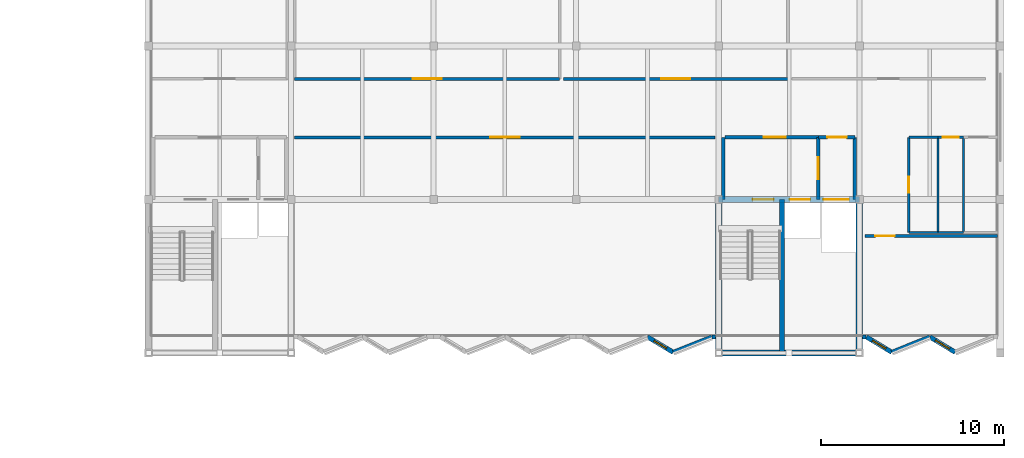
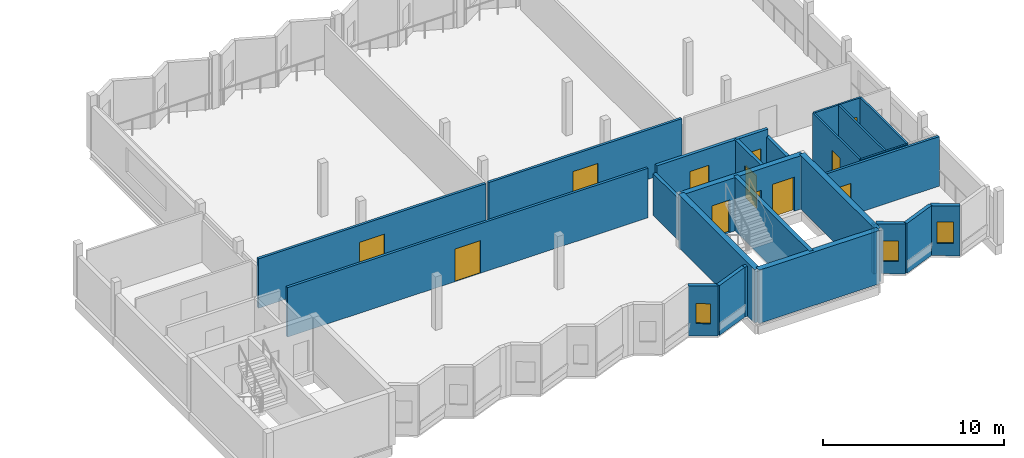
# One storey, part 15 of 22: 28 walls, 12 doors, 3 windows, 15 openings.
"""IFC4 building model written with IfcOpenShell, lengths in metres."""

from ifc_helpers import new_model, si_unit, direction, frame, frame_2d, origin, place, context, subcontext, project, spatial, rectangle, extrude, material, layer, layer_set, type_object, element, fill, save


model = new_model("IFC4")

# Units and contexts
model_context = context("Model", 3, precision=1e-05, world=origin(), true_north=direction((0.0, 1.0)))
body_context = subcontext(model_context, "Body", "Model", "MODEL_VIEW")
ifc_project = project(units=[si_unit("LENGTHUNIT", "METRE"), si_unit("AREAUNIT", "SQUARE_METRE"), si_unit("VOLUMEUNIT", "CUBIC_METRE"), si_unit("PLANEANGLEUNIT", "RADIAN"), si_unit("MASSUNIT", "GRAM", prefix="KILO")], contexts=[model_context])

# Site, building, storey
site_placement = place(None, origin())
site = spatial("IfcSite", under=ifc_project, at=site_placement, CompositionType="ELEMENT")
building_placement = place(site_placement, origin())
building = spatial("IfcBuilding", under=site, at=building_placement, Name="Vharandega Faculty of Natural Sciences", CompositionType="ELEMENT")
storey_placement = place(building_placement, frame((0.0, 0.0, 28.800048828125)))
storey = spatial("IfcBuildingStorey", under=building, at=storey_placement, Name="L07", CompositionType="ELEMENT", Elevation=28.800048828125)

# Walls
ifc_material_1 = material(Name="Concrete C40/50", Category="concrete")
ifc_layer_1 = layer(ifc_material_1, 0.35009765625, Name="Concrete C40/50")
ifc_layer_set_1 = layer_set([ifc_layer_1], Name="Concrete C40/50")
wall_type_1 = type_object("IfcWallType", Name="Core Shear Wall 350", PredefinedType="SHEAR", material=ifc_layer_set_1)
wall_1_placement = place(storey_placement, frame((146.0, 64.0, 0.0), z_axis=(0.0, 0.0, 1.0), x_axis=(1.0, 0.0, 0.0)))
element("IfcWall", 1, at=wall_1_placement, inside=storey, type_object=wall_type_1, Name="Interior Wall CW-C2-L07-S", PredefinedType="SHEAR", context=body_context, shape_type="SweptSolid", body=[
    extrude(rectangle(XDim=7.699951171875, YDim=0.35009765625, at=frame_2d((3.85009765625, 0.0))), origin(), (0.0, 0.0, 1.0), 3.599853515625),
])
for number, where, z_axis, x_axis, name in (
    (2, (146.0, 64.0, 0.0), (0.0, 0.0, 1.0), (0.0, 1.0, 0.0), "Interior Wall CW-C2-L07-W"),
    (3, (153.699951171875, 64.0, 0.0), (0.0, 0.0, 1.0), (0.0, 1.0, 0.0), "Interior Wall CW-C2-L07-E"),
):
    element("IfcWall", number, at=place(storey_placement, frame(where, z_axis=z_axis, x_axis=x_axis)), inside=storey, type_object=wall_type_1, Name=name, PredefinedType="SHEAR", context=body_context, shape_type="SweptSolid", body=[
        extrude(rectangle(XDim=8.39990234375, YDim=0.35009765625, at=frame_2d((4.199951171875, 0.0))), origin(), (0.0, 0.0, 1.0), 3.599853515625),
    ])

# Wall, openings, doors
wall_2_placement = place(storey_placement, frame((146.0, 72.39990234375, 0.0), z_axis=(0.0, 0.0, 1.0), x_axis=(1.0, 0.0, 0.0)))
wall_2 = element("IfcWall", 4, at=wall_2_placement, inside=storey, type_object=wall_type_1, Name="Interior Wall CW-C2-L07-N", PredefinedType="SHEAR", context=body_context, shape_type="SweptSolid", body=[
    extrude(rectangle(XDim=7.699951171875, YDim=0.35009765625, at=frame_2d((3.85009765625, 0.0))), origin(), (0.0, 0.0, 1.0), 3.599853515625),
])
opening_1_placement = place(wall_2_placement, frame((1.85009765625, 0.0, 0.0)))
opening_1 = element("IfcOpeningElement", 5, at=opening_1_placement, cuts=wall_2, Name="Opening FD1", PredefinedType="OPENING", context=body_context, shape_type="SweptSolid", body=[
    extrude(rectangle(XDim=1.14990234375, YDim=2.199951171875, at=frame_2d((0.574951171875, 1.10009765625))), frame((0.0, 0.18505859375, 0.0), z_axis=(0.0, -1.0, 0.0), x_axis=(1.0, 0.0, 0.0)), (0.0, 0.0, 1.0), 0.3701171875),
])
opening_2_placement = place(wall_2_placement, frame((3.89990234375, 0.0, 0.0)))
opening_2 = element("IfcOpeningElement", 6, at=opening_2_placement, cuts=wall_2, Name="Opening LD-FL2-L07", PredefinedType="OPENING", context=body_context, shape_type="SweptSolid", body=[
    extrude(rectangle(XDim=1.10009765625, YDim=2.14990234375, at=frame_2d((0.550048828125, 1.074951171875))), frame((0.0, 0.18505859375, 0.0), z_axis=(0.0, -1.0, 0.0), x_axis=(1.0, 0.0, 0.0)), (0.0, 0.0, 1.0), 0.3701171875),
])
opening_3_placement = place(wall_2_placement, frame((5.719970703125, 0.0, 0.0)))
opening_3 = element("IfcOpeningElement", 7, at=opening_3_placement, cuts=wall_2, Name="Opening LD-LG1-L07", PredefinedType="OPENING", context=body_context, shape_type="SweptSolid", body=[
    extrude(rectangle(XDim=1.39990234375, YDim=2.300048828125, at=frame_2d((0.699951171875, 1.14990234375))), frame((0.0, 0.18505859375, 0.0), z_axis=(0.0, -1.0, 0.0), x_axis=(1.0, 0.0, 0.0)), (0.0, 0.0, 1.0), 0.3701171875),
])
ifc_material_2 = material(Name="Solid-core hardwood timber fire door", Category="wood")
door_type_1 = type_object("IfcDoorType", Name="FD1-STAIR-1150x2200", OperationType="NOTDEFINED", PredefinedType="DOOR", material=ifc_material_2)
door_1_placement = place(opening_1_placement, origin())
door_1 = element("IfcDoor", 8, at=door_1_placement, inside=storey, type_object=door_type_1, Name="Stair ST2 Fire Door FD1", OperationType="SINGLE_SWING_LEFT", OverallHeight=2.199951171875, OverallWidth=1.14990234375, PredefinedType="DOOR", context=body_context, shape_type="SweptSolid", body=[
    extrude(rectangle(XDim=1.14990234375, YDim=2.199951171875, at=frame_2d((0.574951171875, 1.10009765625))), frame((0.0, 0.02490234375, 0.0), z_axis=(0.0, -1.0, 0.0), x_axis=(1.0, 0.0, 0.0)), (0.0, 0.0, 1.0), 0.050048828125),
])
fill(opening_1, door_1)
ifc_material_3 = material(Name="Brushed stainless steel sliding landing door", Category="steel")
door_type_2 = type_object("IfcDoorType", Name="LD1-FFLIFT-SLIDING-1100x2150", OperationType="DOUBLE_DOOR_SLIDING", PredefinedType="DOOR", material=ifc_material_3)
door_2_placement = place(opening_2_placement, origin())
door_2 = element("IfcDoor", 9, at=door_2_placement, inside=storey, type_object=door_type_2, Name="Lift Landing Door LD-FL2-L07", OperationType="DOUBLE_DOOR_SLIDING", OverallHeight=2.14990234375, OverallWidth=1.10009765625, PredefinedType="DOOR", context=body_context, shape_type="SweptSolid", body=[
    extrude(rectangle(XDim=1.10009765625, YDim=2.14990234375, at=frame_2d((0.550048828125, 1.074951171875))), frame((0.0, 0.02490234375, 0.0), z_axis=(0.0, -1.0, 0.0), x_axis=(1.0, 0.0, 0.0)), (0.0, 0.0, 1.0), 0.050048828125),
])
fill(opening_2, door_2)
ifc_material_4 = material(Name="Brushed stainless steel sliding landing door", Category="steel")
door_type_3 = type_object("IfcDoorType", Name="LD3-GOODSLIFT-SLIDING-1400x2300", OperationType="DOUBLE_DOOR_SLIDING", PredefinedType="DOOR", material=ifc_material_4)
door_3_placement = place(opening_3_placement, origin())
door_3 = element("IfcDoor", 10, at=door_3_placement, inside=storey, type_object=door_type_3, Name="Lift Landing Door LD-LG1-L07", OperationType="DOUBLE_DOOR_SLIDING", OverallHeight=2.300048828125, OverallWidth=1.39990234375, PredefinedType="DOOR", context=body_context, shape_type="SweptSolid", body=[
    extrude(rectangle(XDim=1.39990234375, YDim=2.300048828125, at=frame_2d((0.699951171875, 1.14990234375))), frame((0.0, 0.02490234375, 0.0), z_axis=(0.0, -1.0, 0.0), x_axis=(1.0, 0.0, 0.0)), (0.0, 0.0, 1.0), 0.050048828125),
])
fill(opening_3, door_3)

# Wall, opening, door
ifc_material_5 = material(Name="Concrete C40/50", Category="concrete")
ifc_layer_2 = layer(ifc_material_5, 0.199951171875, Name="Concrete C40/50")
ifc_layer_set_2 = layer_set([ifc_layer_2], Name="Concrete C40/50")
wall_type_2 = type_object("IfcWallType", Name="Firefighting Lobby Wall 200", PredefinedType="PARTITIONING", material=ifc_layer_set_2)
wall_3_placement = place(storey_placement, frame((146.35009765625, 75.800048828125, 0.0), z_axis=(0.0, 0.0, 1.0), x_axis=(1.0, 0.0, 0.0)))
wall_3 = element("IfcWall", 11, at=wall_3_placement, inside=storey, type_object=wall_type_2, Name="Interior Wall PW-FFL-C2-L07-N", PredefinedType="PARTITIONING", context=body_context, shape_type="SweptSolid", body=[
    extrude(rectangle(XDim=5.099853515625, YDim=0.199951171875, at=frame_2d((2.5498046875, 0.0))), origin(), (0.0, 0.0, 1.0), 3.320068359375),
])
opening_4_placement = place(wall_3_placement, frame((2.125, 0.0, 0.0)))
opening_4 = element("IfcOpeningElement", 12, at=opening_4_placement, cuts=wall_3, Name="Opening FD2", PredefinedType="OPENING", context=body_context, shape_type="SweptSolid", body=[
    extrude(rectangle(XDim=1.199951171875, YDim=2.199951171875, at=frame_2d((0.60009765625, 1.10009765625))), frame((0.0, 0.10986328125, 0.0), z_axis=(0.0, -1.0, 0.0), x_axis=(1.0, 0.0, 0.0)), (0.0, 0.0, 1.0), 0.219970703125),
])
ifc_material_6 = material(Name="Solid-core hardwood timber fire door", Category="wood")
door_type_4 = type_object("IfcDoorType", Name="FD2-FFLOBBY-1200x2200", OperationType="NOTDEFINED", PredefinedType="DOOR", material=ifc_material_6)
door_4_placement = place(opening_4_placement, origin())
door_4 = element("IfcDoor", 13, at=door_4_placement, inside=storey, type_object=door_type_4, Name="Firefighting Lobby C2 Door FD2", OperationType="SINGLE_SWING_LEFT", OverallHeight=2.199951171875, OverallWidth=1.199951171875, PredefinedType="DOOR", context=body_context, shape_type="SweptSolid", body=[
    extrude(rectangle(XDim=1.199951171875, YDim=2.199951171875, at=frame_2d((0.60009765625, 1.10009765625))), frame((0.0, 0.02490234375, 0.0), z_axis=(0.0, -1.0, 0.0), x_axis=(1.0, 0.0, 0.0)), (0.0, 0.0, 1.0), 0.050048828125),
])
fill(opening_4, door_4)

# Wall
wall_4_placement = place(storey_placement, frame((146.25, 72.39990234375, 0.0), z_axis=(0.0, 0.0, 1.0), x_axis=(0.0, 1.0, 0.0)))
element("IfcWall", 14, at=wall_4_placement, inside=storey, type_object=wall_type_2, Name="Interior Wall PW-FFL-C2-L07-W", PredefinedType="PARTITIONING", context=body_context, shape_type="SweptSolid", body=[
    extrude(rectangle(XDim=3.400146484375, YDim=0.199951171875, at=frame_2d((1.7001953125, 0.0))), origin(), (0.0, 0.0, 1.0), 2.820068359375),
])

# Wall, opening, door
wall_5_placement = place(storey_placement, frame((151.449951171875, 72.39990234375, 0.0), z_axis=(0.0, 0.0, 1.0), x_axis=(0.0, 1.0, 0.0)))
wall_5 = element("IfcWall", 15, at=wall_5_placement, inside=storey, type_object=wall_type_2, Name="Interior Wall PW-FFL-C2-L07-E", PredefinedType="PARTITIONING", context=body_context, shape_type="SweptSolid", body=[
    extrude(rectangle(XDim=3.400146484375, YDim=0.199951171875, at=frame_2d((1.7001953125, 0.0))), origin(), (0.0, 0.0, 1.0), 3.320068359375),
])
opening_5_placement = place(wall_5_placement, frame((1.10009765625, 0.0, 0.0)))
opening_5 = element("IfcOpeningElement", 16, at=opening_5_placement, cuts=wall_5, Name="Opening FD2", PredefinedType="OPENING", context=body_context, shape_type="SweptSolid", body=[
    extrude(rectangle(XDim=1.199951171875, YDim=2.199951171875, at=frame_2d((0.60009765625, 1.10009765625))), frame((0.0, 0.10986328125, 0.0), z_axis=(0.0, -1.0, 0.0), x_axis=(1.0, 0.0, 0.0)), (0.0, 0.0, 1.0), 0.219970703125),
])
door_5_placement = place(opening_5_placement, origin())
door_5 = element("IfcDoor", 17, at=door_5_placement, inside=storey, type_object=door_type_4, Name="Lobby Interconnect C2 Door FD2", OperationType="SINGLE_SWING_RIGHT", OverallHeight=2.199951171875, OverallWidth=1.199951171875, PredefinedType="DOOR", context=body_context, shape_type="SweptSolid", body=[
    extrude(rectangle(XDim=1.199951171875, YDim=2.199951171875, at=frame_2d((0.60009765625, 1.10009765625))), frame((0.0, 0.02490234375, 0.0), z_axis=(0.0, -1.0, 0.0), x_axis=(1.0, 0.0, 0.0)), (0.0, 0.0, 1.0), 0.050048828125),
])
fill(opening_5, door_5)

wall_6_placement = place(storey_placement, frame((151.449951171875, 75.800048828125, 0.0), z_axis=(0.0, 0.0, 1.0), x_axis=(1.0, 0.0, 0.0)))
wall_6 = element("IfcWall", 18, at=wall_6_placement, inside=storey, type_object=wall_type_2, Name="Interior Wall PW-LL-C2-L07-N", PredefinedType="PARTITIONING", context=body_context, shape_type="SweptSolid", body=[
    extrude(rectangle(XDim=2.0, YDim=0.199951171875, at=frame_2d((1.0, 0.0))), origin(), (0.0, 0.0, 1.0), 3.320068359375),
])
opening_6_placement = place(wall_6_placement, frame((0.5, 0.0, 0.0)))
opening_6 = element("IfcOpeningElement", 19, at=opening_6_placement, cuts=wall_6, Name="Opening FD4", PredefinedType="OPENING", context=body_context, shape_type="SweptSolid", body=[
    extrude(rectangle(XDim=1.050048828125, YDim=2.14990234375, at=frame_2d((0.52490234375, 1.074951171875))), frame((0.0, 0.10986328125, 0.0), z_axis=(0.0, -1.0, 0.0), x_axis=(1.0, 0.0, 0.0)), (0.0, 0.0, 1.0), 0.219970703125),
])
ifc_material_7 = material(Name="Solid-core hardwood timber fire door", Category="wood")
door_type_5 = type_object("IfcDoorType", Name="FD4-LAB-SGL-1050x2150", OperationType="NOTDEFINED", PredefinedType="DOOR", material=ifc_material_7)
door_6_placement = place(opening_6_placement, origin())
door_6 = element("IfcDoor", 20, at=door_6_placement, inside=storey, type_object=door_type_5, Name="Lift Lobby C2 Door FD4", OperationType="SINGLE_SWING_LEFT", OverallHeight=2.14990234375, OverallWidth=1.050048828125, PredefinedType="DOOR", context=body_context, shape_type="SweptSolid", body=[
    extrude(rectangle(XDim=1.050048828125, YDim=2.14990234375, at=frame_2d((0.52490234375, 1.074951171875))), frame((0.0, 0.02490234375, 0.0), z_axis=(0.0, -1.0, 0.0), x_axis=(1.0, 0.0, 0.0)), (0.0, 0.0, 1.0), 0.050048828125),
])
fill(opening_6, door_6)

# Wall
wall_7_placement = place(storey_placement, frame((153.449951171875, 72.39990234375, 0.0), z_axis=(0.0, 0.0, 1.0), x_axis=(0.0, 1.0, 0.0)))
element("IfcWall", 21, at=wall_7_placement, inside=storey, type_object=wall_type_2, Name="Interior Wall PW-LL-C2-L07-E", PredefinedType="PARTITIONING", context=body_context, shape_type="SweptSolid", body=[
    extrude(rectangle(XDim=3.400146484375, YDim=0.199951171875, at=frame_2d((1.7001953125, 0.0))), origin(), (0.0, 0.0, 1.0), 2.820068359375),
])

# Wall, opening, door
ifc_material_8 = material(Name="Gypsum fire-board on steel stud", Category="steel")
ifc_layer_3 = layer(ifc_material_8, 0.159912109375, Name="Gypsum fire-board on steel stud")
ifc_layer_set_3 = layer_set([ifc_layer_3], Name="Gypsum fire-board on steel stud")
wall_type_3 = type_object("IfcWallType", Name="Laboratory Fire Corridor Wall 160", PredefinedType="PARTITIONING", material=ifc_layer_set_3)
wall_8_placement = place(storey_placement, frame((122.800048828125, 75.800048828125, 0.0), z_axis=(0.0, 0.0, 1.0), x_axis=(1.0, 0.0, 0.0)))
wall_8 = element("IfcWall", 22, at=wall_8_placement, inside=storey, type_object=wall_type_3, Name="Interior Wall PW-L07-R07N", PredefinedType="PARTITIONING", context=body_context, shape_type="SweptSolid", body=[
    extrude(rectangle(XDim=23.0, YDim=0.159912109375, at=frame_2d((11.5, 0.0))), origin(), (0.0, 0.0, 1.0), 3.33984375),
])
opening_7_placement = place(wall_8_placement, frame((10.699951171875, 0.0, 0.0)))
opening_7 = element("IfcOpeningElement", 23, at=opening_7_placement, cuts=wall_8, Name="Opening FD3", PredefinedType="OPENING", context=body_context, shape_type="SweptSolid", body=[
    extrude(rectangle(XDim=1.60009765625, YDim=2.199951171875, at=frame_2d((0.800048828125, 1.10009765625))), frame((0.0, 0.08984375, 0.0), z_axis=(0.0, -1.0, 0.0), x_axis=(1.0, 0.0, 0.0)), (0.0, 0.0, 1.0), 0.179931640625),
])
ifc_material_9 = material(Name="Solid-core hardwood timber fire door", Category="wood")
door_type_6 = type_object("IfcDoorType", Name="FD3-LAB-DBL-1600x2200", OperationType="DOUBLE_DOOR_SINGLE_SWING", PredefinedType="DOOR", material=ifc_material_9)
door_7_placement = place(opening_7_placement, origin())
door_7 = element("IfcDoor", 24, at=door_7_placement, inside=storey, type_object=door_type_6, Name="Cryogenics and Magnetometry Instrumentation Suite Door FD3", OperationType="DOUBLE_DOOR_SINGLE_SWING", OverallHeight=2.199951171875, OverallWidth=1.60009765625, PredefinedType="DOOR", context=body_context, shape_type="SweptSolid", body=[
    extrude(rectangle(XDim=1.60009765625, YDim=2.199951171875, at=frame_2d((0.800048828125, 1.10009765625))), frame((0.0, 0.02490234375, 0.0), z_axis=(0.0, -1.0, 0.0), x_axis=(1.0, 0.0, 0.0)), (0.0, 0.0, 1.0), 0.050048828125),
])
fill(opening_7, door_7)

wall_9_placement = place(storey_placement, frame((154.0, 70.39990234375, 0.0), z_axis=(0.0, 0.0, 1.0), x_axis=(1.0, 0.0, 0.0)))
wall_9 = element("IfcWall", 25, at=wall_9_placement, inside=storey, type_object=wall_type_3, Name="Interior Wall PW-L07-R11N", PredefinedType="PARTITIONING", context=body_context, shape_type="SweptSolid", body=[
    extrude(rectangle(XDim=7.260009765625, YDim=0.159912109375, at=frame_2d((3.6298828125, 0.0))), origin(), (0.0, 0.0, 1.0), 3.33984375),
])
opening_8_placement = place(wall_9_placement, frame((0.574951171875, 0.0, 0.0)))
opening_8 = element("IfcOpeningElement", 26, at=opening_8_placement, cuts=wall_9, Name="Opening FD4", PredefinedType="OPENING", context=body_context, shape_type="SweptSolid", body=[
    extrude(rectangle(XDim=1.050048828125, YDim=2.14990234375, at=frame_2d((0.52490234375, 1.074951171875))), frame((0.0, 0.08984375, 0.0), z_axis=(0.0, -1.0, 0.0), x_axis=(1.0, 0.0, 0.0)), (0.0, 0.0, 1.0), 0.179931640625),
])
door_8_placement = place(opening_8_placement, origin())
door_8 = element("IfcDoor", 27, at=door_8_placement, inside=storey, type_object=door_type_5, Name="L07 Laboratory Manager Office Door FD4", OperationType="SINGLE_SWING_RIGHT", OverallHeight=2.14990234375, OverallWidth=1.050048828125, PredefinedType="DOOR", context=body_context, shape_type="SweptSolid", body=[
    extrude(rectangle(XDim=1.050048828125, YDim=2.14990234375, at=frame_2d((0.52490234375, 1.074951171875))), frame((0.0, 0.02490234375, 0.0), z_axis=(0.0, -1.0, 0.0), x_axis=(1.0, 0.0, 0.0)), (0.0, 0.0, 1.0), 0.050048828125),
])
fill(opening_8, door_8)

wall_10_placement = place(storey_placement, frame((122.800048828125, 79.0, 0.0), z_axis=(0.0, 0.0, 1.0), x_axis=(1.0, 0.0, 0.0)))
wall_10 = element("IfcWall", 28, at=wall_10_placement, inside=storey, type_object=wall_type_3, Name="Interior Wall PW-L07-R12S", PredefinedType="PARTITIONING", context=body_context, shape_type="SweptSolid", body=[
    extrude(rectangle(XDim=14.5, YDim=0.159912109375, at=frame_2d((7.25, 0.0))), origin(), (0.0, 0.0, 1.0), 3.33984375),
])
opening_9_placement = place(wall_10_placement, frame((6.449951171875, 0.0, 0.0)))
opening_9 = element("IfcOpeningElement", 29, at=opening_9_placement, cuts=wall_10, Name="Opening FD3", PredefinedType="OPENING", context=body_context, shape_type="SweptSolid", body=[
    extrude(rectangle(XDim=1.60009765625, YDim=2.199951171875, at=frame_2d((0.800048828125, 1.10009765625))), frame((0.0, 0.08984375, 0.0), z_axis=(0.0, -1.0, 0.0), x_axis=(1.0, 0.0, 0.0)), (0.0, 0.0, 1.0), 0.179931640625),
])
door_9_placement = place(opening_9_placement, origin())
door_9 = element("IfcDoor", 30, at=door_9_placement, inside=storey, type_object=door_type_6, Name="Condensed-Matter Physics Research Laboratory Door FD3", OperationType="DOUBLE_DOOR_SINGLE_SWING", OverallHeight=2.199951171875, OverallWidth=1.60009765625, PredefinedType="DOOR", context=body_context, shape_type="SweptSolid", body=[
    extrude(rectangle(XDim=1.60009765625, YDim=2.199951171875, at=frame_2d((0.800048828125, 1.10009765625))), frame((0.0, 0.02490234375, 0.0), z_axis=(0.0, -1.0, 0.0), x_axis=(1.0, 0.0, 0.0)), (0.0, 0.0, 1.0), 0.050048828125),
])
fill(opening_9, door_9)

wall_11_placement = place(storey_placement, frame((137.5, 79.0, 0.0), z_axis=(0.0, 0.0, 1.0), x_axis=(1.0, 0.0, 0.0)))
wall_11 = element("IfcWall", 31, at=wall_11_placement, inside=storey, type_object=wall_type_3, Name="Interior Wall PW-L07-R13S", PredefinedType="PARTITIONING", context=body_context, shape_type="SweptSolid", body=[
    extrude(rectangle(XDim=12.300048828125, YDim=0.159912109375, at=frame_2d((6.14990234375, 0.0))), origin(), (0.0, 0.0, 1.0), 3.33984375),
])
opening_10_placement = place(wall_11_placement, frame((5.35009765625, 0.0, 0.0)))
opening_10 = element("IfcOpeningElement", 32, at=opening_10_placement, cuts=wall_11, Name="Opening FD3", PredefinedType="OPENING", context=body_context, shape_type="SweptSolid", body=[
    extrude(rectangle(XDim=1.60009765625, YDim=2.199951171875, at=frame_2d((0.800048828125, 1.10009765625))), frame((0.0, 0.08984375, 0.0), z_axis=(0.0, -1.0, 0.0), x_axis=(1.0, 0.0, 0.0)), (0.0, 0.0, 1.0), 0.179931640625),
])
door_10_placement = place(opening_10_placement, origin())
door_10 = element("IfcDoor", 33, at=door_10_placement, inside=storey, type_object=door_type_6, Name="Laser and Photonics Optics Laboratory Door FD3", OperationType="DOUBLE_DOOR_SINGLE_SWING", OverallHeight=2.199951171875, OverallWidth=1.60009765625, PredefinedType="DOOR", context=body_context, shape_type="SweptSolid", body=[
    extrude(rectangle(XDim=1.60009765625, YDim=2.199951171875, at=frame_2d((0.800048828125, 1.10009765625))), frame((0.0, 0.02490234375, 0.0), z_axis=(0.0, -1.0, 0.0), x_axis=(1.0, 0.0, 0.0)), (0.0, 0.0, 1.0), 0.050048828125),
])
fill(opening_10, door_10)

# Walls
ifc_material_10 = material(Name="Concrete C40/50", Category="concrete")
ifc_layer_4 = layer(ifc_material_10, 0.260009765625, Name="Concrete C40/50")
ifc_layer_set_4 = layer_set([ifc_layer_4], Name="Concrete C40/50")
wall_type_4 = type_object("IfcWallType", Name="Lift Shaft Shear Wall 260", PredefinedType="SHEAR", material=ifc_layer_set_4)
wall_12_placement = place(storey_placement, frame((149.4599609375, 64.0, 0.0), z_axis=(0.0, 0.0, 1.0), x_axis=(0.0, 1.0, 0.0)))
element("IfcWall", 34, at=wall_12_placement, inside=storey, type_object=wall_type_4, Name="Interior Wall CW-C2-L07-DIV", PredefinedType="SHEAR", context=body_context, shape_type="SweptSolid", body=[
    extrude(rectangle(XDim=8.39990234375, YDim=0.260009765625, at=frame_2d((4.199951171875, 0.0))), origin(), (0.0, 0.0, 1.0), 3.599853515625),
])
ifc_material_11 = material(Name="Moisture-resistant gypsum partition", Category="gypsum")
ifc_layer_5 = layer(ifc_material_11, 0.1201171875, Name="Moisture-resistant gypsum partition")
ifc_layer_set_5 = layer_set([ifc_layer_5], Name="Moisture-resistant gypsum partition")
wall_type_5 = type_object("IfcWallType", Name="Sanitary Wet Wall 120", PredefinedType="PARTITIONING", material=ifc_layer_set_5)
for number, where, z_axis, x_axis, name in (
    (35, (156.39990234375, 70.60009765625, 0.0), (0.0, 0.0, 1.0), (1.0, 0.0, 0.0), "Interior Wall PW-L07-R08S"),
    (36, (156.39990234375, 75.800048828125, 0.0), (0.0, 0.0, 1.0), (1.0, 0.0, 0.0), "Interior Wall PW-L07-R08N"),
):
    element("IfcWall", number, at=place(storey_placement, frame(where, z_axis=z_axis, x_axis=x_axis)), inside=storey, type_object=wall_type_5, Name=name, PredefinedType="PARTITIONING", context=body_context, shape_type="SweptSolid", body=[
        extrude(rectangle(XDim=1.60009765625, YDim=0.1201171875, at=frame_2d((0.800048828125, 0.0))), origin(), (0.0, 0.0, 1.0), 3.33984375),
    ])

# Wall, opening, door
wall_13_placement = place(storey_placement, frame((156.39990234375, 70.60009765625, 0.0), z_axis=(0.0, 0.0, 1.0), x_axis=(0.0, 1.0, 0.0)))
wall_13 = element("IfcWall", 37, at=wall_13_placement, inside=storey, type_object=wall_type_5, Name="Interior Wall PW-L07-R08W", PredefinedType="PARTITIONING", context=body_context, shape_type="SweptSolid", body=[
    extrude(rectangle(XDim=5.199951171875, YDim=0.1201171875, at=frame_2d((2.60009765625, 0.0))), origin(), (0.0, 0.0, 1.0), 3.33984375),
])
opening_11_placement = place(wall_13_placement, frame((2.159912109375, 0.0, 0.0)))
opening_11 = element("IfcOpeningElement", 38, at=opening_11_placement, cuts=wall_13, Name="Opening D0344", PredefinedType="OPENING", context=body_context, shape_type="SweptSolid", body=[
    extrude(rectangle(XDim=0.8798828125, YDim=2.10009765625, at=frame_2d((0.43994140625, 1.050048828125))), frame((0.0, 0.070068359375, 0.0), z_axis=(0.0, -1.0, 0.0), x_axis=(1.0, 0.0, 0.0)), (0.0, 0.0, 1.0), 0.14013671875),
])
ifc_material_12 = material(Name="Solid-core hardwood timber fire door", Category="wood")
door_type_7 = type_object("IfcDoorType", Name="ID06-WC-0880x2100", OperationType="NOTDEFINED", PredefinedType="DOOR", material=ifc_material_12)
door_11_placement = place(opening_11_placement, origin())
door_11 = element("IfcDoor", 39, at=door_11_placement, inside=storey, type_object=door_type_7, Name="L07 Male Washroom Door D0344", OperationType="SINGLE_SWING_LEFT", OverallHeight=2.10009765625, OverallWidth=0.8798828125, PredefinedType="DOOR", context=body_context, shape_type="SweptSolid", body=[
    extrude(rectangle(XDim=0.8798828125, YDim=2.10009765625, at=frame_2d((0.43994140625, 1.050048828125))), frame((0.0, 0.02490234375, 0.0), z_axis=(0.0, -1.0, 0.0), x_axis=(1.0, 0.0, 0.0)), (0.0, 0.0, 1.0), 0.050048828125),
])
fill(opening_11, door_11)

# Walls
wall_14_placement = place(storey_placement, frame((158.0, 70.60009765625, 0.0), z_axis=(0.0, 0.0, 1.0), x_axis=(0.0, 1.0, 0.0)))
element("IfcWall", 40, at=wall_14_placement, inside=storey, type_object=wall_type_5, Name="Interior Wall PW-L07-R08E", PredefinedType="PARTITIONING", context=body_context, shape_type="SweptSolid", body=[
    extrude(rectangle(XDim=5.199951171875, YDim=0.1201171875, at=frame_2d((2.60009765625, 0.0))), origin(), (0.0, 0.0, 1.0), 3.33984375),
])
wall_15_placement = place(storey_placement, frame((158.0, 70.60009765625, 0.0), z_axis=(0.0, 0.0, 1.0), x_axis=(1.0, 0.0, 0.0)))
element("IfcWall", 41, at=wall_15_placement, inside=storey, type_object=wall_type_5, Name="Interior Wall PW-L07-R09S", PredefinedType="PARTITIONING", context=body_context, shape_type="SweptSolid", body=[
    extrude(rectangle(XDim=1.39990234375, YDim=0.1201171875, at=frame_2d((0.699951171875, 0.0))), origin(), (0.0, 0.0, 1.0), 3.33984375),
])

# Wall, opening, door
wall_16_placement = place(storey_placement, frame((158.0, 75.800048828125, 0.0), z_axis=(0.0, 0.0, 1.0), x_axis=(1.0, 0.0, 0.0)))
wall_16 = element("IfcWall", 42, at=wall_16_placement, inside=storey, type_object=wall_type_5, Name="Interior Wall PW-L07-R09N", PredefinedType="PARTITIONING", context=body_context, shape_type="SweptSolid", body=[
    extrude(rectangle(XDim=1.39990234375, YDim=0.1201171875, at=frame_2d((0.699951171875, 0.0))), origin(), (0.0, 0.0, 1.0), 3.33984375),
])
opening_12_placement = place(wall_16_placement, frame((0.260009765625, 0.0, 0.0)))
opening_12 = element("IfcOpeningElement", 43, at=opening_12_placement, cuts=wall_16, Name="Opening D0345", PredefinedType="OPENING", context=body_context, shape_type="SweptSolid", body=[
    extrude(rectangle(XDim=0.8798828125, YDim=2.10009765625, at=frame_2d((0.43994140625, 1.050048828125))), frame((0.0, 0.070068359375, 0.0), z_axis=(0.0, -1.0, 0.0), x_axis=(1.0, 0.0, 0.0)), (0.0, 0.0, 1.0), 0.14013671875),
])
door_12_placement = place(opening_12_placement, origin())
door_12 = element("IfcDoor", 44, at=door_12_placement, inside=storey, type_object=door_type_7, Name="L07 Female Washroom Door D0345", OperationType="SINGLE_SWING_RIGHT", OverallHeight=2.10009765625, OverallWidth=0.8798828125, PredefinedType="DOOR", context=body_context, shape_type="SweptSolid", body=[
    extrude(rectangle(XDim=0.8798828125, YDim=2.10009765625, at=frame_2d((0.43994140625, 1.050048828125))), frame((0.0, 0.02490234375, 0.0), z_axis=(0.0, -1.0, 0.0), x_axis=(1.0, 0.0, 0.0)), (0.0, 0.0, 1.0), 0.050048828125),
])
fill(opening_12, door_12)

# Wall
wall_17_placement = place(storey_placement, frame((159.39990234375, 70.60009765625, 0.0), z_axis=(0.0, 0.0, 1.0), x_axis=(0.0, 1.0, 0.0)))
element("IfcWall", 45, at=wall_17_placement, inside=storey, type_object=wall_type_5, Name="Interior Wall PW-L07-R09E", PredefinedType="PARTITIONING", context=body_context, shape_type="SweptSolid", body=[
    extrude(rectangle(XDim=5.199951171875, YDim=0.1201171875, at=frame_2d((2.60009765625, 0.0))), origin(), (0.0, 0.0, 1.0), 3.33984375),
])

# Wall, opening, window
ifc_material_13 = material(Name="Precast concrete C40/50", Category="concrete")
ifc_layer_6 = layer(ifc_material_13, 0.25, Name="Precast concrete C40/50")
ifc_layer_set_6 = layer_set([ifc_layer_6], Name="Precast concrete C40/50")
wall_type_6 = type_object("IfcWallType", Name="Sawtooth Glazed-Face Precast Wall 250", PredefinedType="SOLIDWALL", material=ifc_layer_set_6)
wall_18_placement = place(storey_placement, frame((143.508056640625, 64.0400390625, 0.0), z_axis=(0.0, 0.0, 1.0), x_axis=(-0.858817206091, 0.512282155185, 0.0)))
wall_18 = element("IfcWall", 46, at=wall_18_placement, inside=storey, type_object=wall_type_6, Name="Exterior Wall EW-SAW-L07-S06G", PredefinedType="SOLIDWALL", context=body_context, shape_type="SweptSolid", body=[
    extrude(rectangle(XDim=1.639404296875, YDim=0.25, at=frame_2d((0.81982421875, 0.0))), origin(), (0.0, 0.0, 1.0), 3.35986328125),
])
opening_13_placement = place(wall_18_placement, frame((0.419921875, 0.0, 0.820068359375)))
opening_13 = element("IfcOpeningElement", 47, at=opening_13_placement, cuts=wall_18, Name="Opening WN-01", PredefinedType="OPENING", context=body_context, shape_type="SweptSolid", body=[
    extrude(rectangle(XDim=0.800048828125, YDim=1.35009765625, at=frame_2d((0.39990234375, 0.675048828125))), frame((0.0, 0.135009765625, 0.0), z_axis=(0.0, -1.0, 0.0), x_axis=(1.0, 0.0, 0.0)), (0.0, 0.0, 1.0), 0.27001953125),
])
ifc_material_14 = material(Name="Double-glazed solar-control glass in thermally broken aluminium frame", Category="aluminium")
window_type_1 = type_object("IfcWindowType", Name="WIN-SAW-080x135", PartitioningType="SINGLE_PANEL", PredefinedType="WINDOW", material=ifc_material_14)
window_1_placement = place(opening_13_placement, origin())
window_1 = element("IfcWindow", 48, at=window_1_placement, inside=storey, type_object=window_type_1, Name="Window WIN-L07-0064", OverallHeight=1.35009765625, OverallWidth=0.800048828125, PartitioningType="SINGLE_PANEL", PredefinedType="WINDOW", context=body_context, shape_type="SweptSolid", body=[
    extrude(rectangle(XDim=0.800048828125, YDim=1.35009765625, at=frame_2d((0.39990234375, 0.675048828125))), frame((0.0, 0.030029296875, 0.0), z_axis=(0.0, -1.0, 0.0), x_axis=(1.0, 0.0, 0.0)), (0.0, 0.0, 1.0), 0.06005859375),
])
fill(opening_13, window_1)

wall_19_placement = place(storey_placement, frame((155.468017578125, 64.0400390625, 0.0), z_axis=(0.0, 0.0, 1.0), x_axis=(-0.855561475997, 0.51770122734, 0.0)))
wall_19 = element("IfcWall", 49, at=wall_19_placement, inside=storey, type_object=wall_type_6, Name="Exterior Wall EW-SAW-L07-S07G", PredefinedType="SOLIDWALL", context=body_context, shape_type="SweptSolid", body=[
    extrude(rectangle(XDim=1.622314453125, YDim=0.25, at=frame_2d((0.81103515625, 0.0))), origin(), (0.0, 0.0, 1.0), 3.35986328125),
])
opening_14_placement = place(wall_19_placement, frame((0.38623046875, 0.0, 0.820068359375)))
opening_14 = element("IfcOpeningElement", 50, at=opening_14_placement, cuts=wall_19, Name="Opening WN-02", PredefinedType="OPENING", context=body_context, shape_type="SweptSolid", body=[
    extrude(rectangle(XDim=0.85009765625, YDim=1.39990234375, at=frame_2d((0.425048828125, 0.699951171875))), frame((0.0, 0.135009765625, 0.0), z_axis=(0.0, -1.0, 0.0), x_axis=(1.0, 0.0, 0.0)), (0.0, 0.0, 1.0), 0.27001953125),
])
ifc_material_15 = material(Name="Double-glazed solar-control glass in thermally broken aluminium frame", Category="aluminium")
window_type_2 = type_object("IfcWindowType", Name="WIN-SAW-085x140", PartitioningType="SINGLE_PANEL", PredefinedType="WINDOW", material=ifc_material_15)
window_2_placement = place(opening_14_placement, origin())
window_2 = element("IfcWindow", 51, at=window_2_placement, inside=storey, type_object=window_type_2, Name="Window WIN-L07-0065", OverallHeight=1.39990234375, OverallWidth=0.85009765625, PartitioningType="SINGLE_PANEL", PredefinedType="WINDOW", context=body_context, shape_type="SweptSolid", body=[
    extrude(rectangle(XDim=0.85009765625, YDim=1.39990234375, at=frame_2d((0.425048828125, 0.699951171875))), frame((0.0, 0.030029296875, 0.0), z_axis=(0.0, -1.0, 0.0), x_axis=(1.0, 0.0, 0.0)), (0.0, 0.0, 1.0), 0.06005859375),
])
fill(opening_14, window_2)

wall_20_placement = place(storey_placement, frame((158.93798828125, 64.0400390625, 0.0), z_axis=(0.0, 0.0, 1.0), x_axis=(-0.855561475997, 0.51770122734, 0.0)))
wall_20 = element("IfcWall", 52, at=wall_20_placement, inside=storey, type_object=wall_type_6, Name="Exterior Wall EW-SAW-L07-S08G", PredefinedType="SOLIDWALL", context=body_context, shape_type="SweptSolid", body=[
    extrude(rectangle(XDim=1.622314453125, YDim=0.25, at=frame_2d((0.81103515625, 0.0))), origin(), (0.0, 0.0, 1.0), 3.35986328125),
])
opening_15_placement = place(wall_20_placement, frame((0.361083984375, 0.0, 0.820068359375)))
opening_15 = element("IfcOpeningElement", 53, at=opening_15_placement, cuts=wall_20, Name="Opening WN-03", PredefinedType="OPENING", context=body_context, shape_type="SweptSolid", body=[
    extrude(rectangle(XDim=0.89990234375, YDim=1.449951171875, at=frame_2d((0.449951171875, 0.72509765625))), frame((0.0, 0.135009765625, 0.0), z_axis=(0.0, -1.0, 0.0), x_axis=(1.0, 0.0, 0.0)), (0.0, 0.0, 1.0), 0.27001953125),
])
ifc_material_16 = material(Name="Double-glazed solar-control glass in thermally broken aluminium frame", Category="aluminium")
window_type_3 = type_object("IfcWindowType", Name="WIN-SAW-090x145", PartitioningType="SINGLE_PANEL", PredefinedType="WINDOW", material=ifc_material_16)
window_3_placement = place(opening_15_placement, origin())
window_3 = element("IfcWindow", 54, at=window_3_placement, inside=storey, type_object=window_type_3, Name="Window WIN-L07-0066", OverallHeight=1.449951171875, OverallWidth=0.89990234375, PartitioningType="SINGLE_PANEL", PredefinedType="WINDOW", context=body_context, shape_type="SweptSolid", body=[
    extrude(rectangle(XDim=0.89990234375, YDim=1.449951171875, at=frame_2d((0.449951171875, 0.72509765625))), frame((0.0, 0.030029296875, 0.0), z_axis=(0.0, -1.0, 0.0), x_axis=(1.0, 0.0, 0.0)), (0.0, 0.0, 1.0), 0.06005859375),
])
fill(opening_15, window_3)

# Walls
ifc_material_17 = material(Name="Precast concrete C40/50", Category="concrete")
ifc_layer_7 = layer(ifc_material_17, 0.22998046875, Name="Precast concrete C40/50")
ifc_layer_set_7 = layer_set([ifc_layer_7], Name="Precast concrete C40/50")
wall_type_7 = type_object("IfcWallType", Name="Sawtooth Solid White Precast Wall 230", PredefinedType="SOLIDWALL", material=ifc_layer_set_7)
wall_21_placement = place(storey_placement, frame((145.830078125, 64.8798828125, 0.0), z_axis=(0.0, 0.0, 1.0), x_axis=(-1.0, 0.0, 0.0)))
element("IfcWall", 55, at=wall_21_placement, inside=storey, type_object=wall_type_7, Name="Exterior Wall EW-SHL-L07-S1819FR", PredefinedType="SOLIDWALL", context=body_context, shape_type="SweptSolid", body=[
    extrude(rectangle(XDim=0.190185546875, YDim=0.22998046875, at=frame_2d((0.09521484375, 0.0))), origin(), (0.0, 0.0, 1.0), 3.35986328125),
])
wall_22_placement = place(storey_placement, frame((154.050048828125, 64.8798828125, 0.0), z_axis=(0.0, 0.0, 1.0), x_axis=(-1.0, 0.0, 0.0)))
element("IfcWall", 56, at=wall_22_placement, inside=storey, type_object=wall_type_7, Name="Exterior Wall EW-SHL-L07-S2021FL", PredefinedType="SOLIDWALL", context=body_context, shape_type="SweptSolid", body=[
    extrude(rectangle(XDim=0.179931640625, YDim=0.22998046875, at=frame_2d((0.08984375, 0.0))), origin(), (0.0, 0.0, 1.0), 3.35986328125),
])
wall_23_placement = place(storey_placement, frame((145.6201171875, 64.8798828125, 0.0), z_axis=(0.0, 0.0, 1.0), x_axis=(-0.929230364612, -0.369500919462, 0.0)))
element("IfcWall", 57, at=wall_23_placement, inside=storey, type_object=wall_type_7, Name="Exterior Wall EW-SAW-L07-S06S", PredefinedType="SOLIDWALL", context=body_context, shape_type="SweptSolid", body=[
    extrude(rectangle(XDim=2.27294921875, YDim=0.22998046875, at=frame_2d((1.136474609375, 0.0))), origin(), (0.0, 0.0, 1.0), 3.35986328125),
])
wall_24_placement = place(storey_placement, frame((157.550048828125, 64.8798828125, 0.0), z_axis=(0.0, 0.0, 1.0), x_axis=(-0.927392797001, -0.374089026933, 0.0)))
element("IfcWall", 58, at=wall_24_placement, inside=storey, type_object=wall_type_7, Name="Exterior Wall EW-SAW-L07-S07S", PredefinedType="SOLIDWALL", context=body_context, shape_type="SweptSolid", body=[
    extrude(rectangle(XDim=2.2451171875, YDim=0.22998046875, at=frame_2d((1.12255859375, 0.0))), origin(), (0.0, 0.0, 1.0), 3.35986328125),
])

save(model, "model.ifc")
